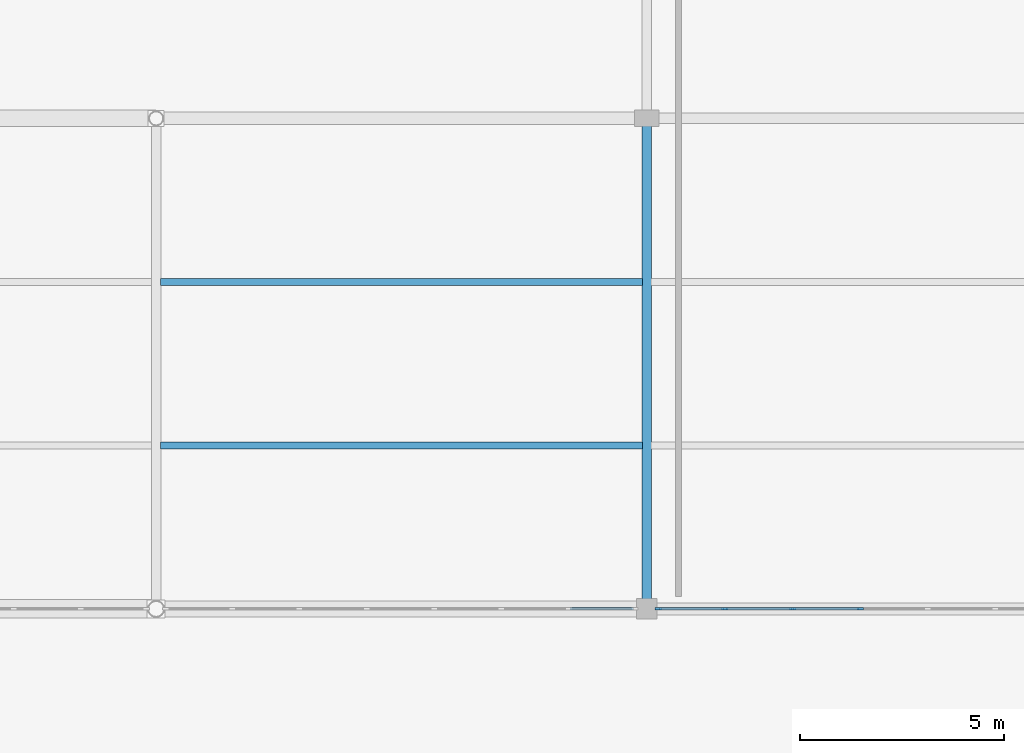
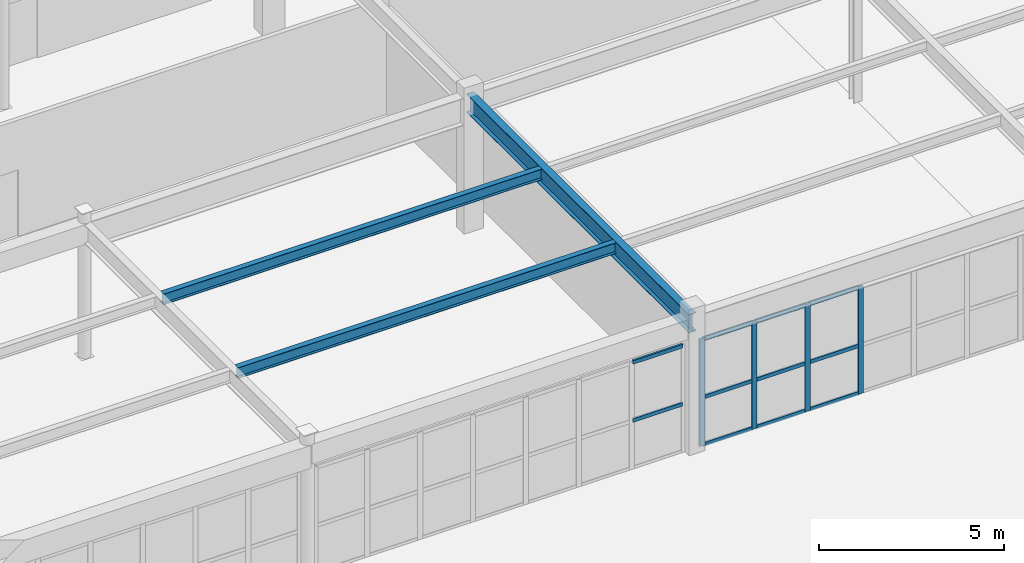
# One storey, part 84 of 199: 15 members, 3 beams, 2 elements without a shape of their own.
"""IFC4 building model written with IfcOpenShell, lengths in metres."""

import ifcopenshell
import ifcopenshell.guid

model = None  # the IFC model being written
_history = None  # IfcOwnerHistory: only IFC2X3 demands one
_inside = {}  # id of a spatial element -> (the spatial element, [elements in it])
_under = {}  # id of a project, library or spatial element -> (it, [spatial elements below it])
_declared = {}  # id of a project -> (the project, [libraries it declares])
_typed = {}  # id of a type object -> (the type object, [elements of that type])
_made_of = {}  # id of a material, layer set ... -> (it, [elements and type objects made of it])


def new_model(schema):
    """Start an empty IFC model of exactly this schema.

    Asked for "IFC4X3", IfcOpenShell would pick the latest addendum, in which some entities
    have other attributes; the version numbers below select the first issue.
    IFC2X3 requires an IfcOwnerHistory on every rooted entity: one is made here for all.
    """
    global model, _history
    if schema == "IFC4X3":
        model = ifcopenshell.file(schema_version=(4, 3, 0, 0))
    else:
        model = ifcopenshell.file(schema=schema)
    _inside.clear()
    _under.clear()
    _declared.clear()
    _typed.clear()
    _made_of.clear()
    _history = None
    if model.schema == "IFC2X3":
        org = make("IfcOrganization", Name="unknown")
        user = make(
            "IfcPersonAndOrganization",
            ThePerson=make("IfcPerson", FamilyName="unknown"),
            TheOrganization=org,
        )
        app = make(
            "IfcApplication",
            ApplicationDeveloper=org,
            Version="unknown",
            ApplicationFullName="unknown",
            ApplicationIdentifier="unknown",
        )
        _history = make(
            "IfcOwnerHistory",
            OwningUser=user,
            OwningApplication=app,
            ChangeAction="ADDED",
            CreationDate=0,
        )
    return model


def make(cls, **values):
    """One entity of the class cls with the attributes given. An attribute that is None is left unset."""
    return model.create_entity(
        cls, **{name: value for name, value in values.items() if value is not None}
    )


def rooted(cls, **values):
    """An entity with a GlobalId (a new one), such as an element, a storey or a relation."""
    return make(cls, GlobalId=ifcopenshell.guid.new(), OwnerHistory=_history, **values)


def si_unit(unit_type, name, prefix=None):
    """IfcSIUnit, for example si_unit("LENGTHUNIT", "METRE", prefix="MILLI")."""
    return make("IfcSIUnit", UnitType=unit_type, Prefix=prefix, Name=name)


def assignment(units):
    """IfcUnitAssignment: the units of a project."""
    return None if units is None else make("IfcUnitAssignment", Units=units)


def point(xyz):
    """IfcCartesianPoint."""
    return None if xyz is None else make("IfcCartesianPoint", Coordinates=xyz)


def direction(xyz):
    """IfcDirection."""
    return None if xyz is None else make("IfcDirection", DirectionRatios=xyz)


def frame(location, z_axis=None, x_axis=None):
    """IfcAxis2Placement3D, a coordinate frame: its origin and axes. An axis left out is left unset."""
    return make(
        "IfcAxis2Placement3D",
        Location=point(location),
        Axis=direction(z_axis),
        RefDirection=direction(x_axis),
    )


def frame_2d(location, x_axis=None):
    """IfcAxis2Placement2D, a coordinate frame in the plane: its origin and x axis."""
    return make(
        "IfcAxis2Placement2D", Location=point(location), RefDirection=direction(x_axis)
    )


def origin():
    """The frame at (0, 0, 0) with its axes left unset."""
    return frame((0.0, 0.0, 0.0))


def origin_2d():
    """The frame at (0, 0) in the plane with its x axis left unset."""
    return frame_2d((0.0, 0.0))


def place(relative_to, where):
    """IfcLocalPlacement: puts the frame where relative to a parent placement (None: the world)."""
    return make(
        "IfcLocalPlacement", PlacementRelTo=relative_to, RelativePlacement=where
    )


def context(
    kind, dimensions, precision=None, world=None, true_north=None, identifier=None
):
    """IfcGeometricRepresentationContext, for example the 3D "Model" context."""
    return make(
        "IfcGeometricRepresentationContext",
        ContextIdentifier=identifier,
        ContextType=kind,
        CoordinateSpaceDimension=dimensions,
        Precision=precision,
        WorldCoordinateSystem=world,
        TrueNorth=true_north,
    )


def subcontext(parent, identifier, kind, view, scale=None):
    """IfcGeometricRepresentationSubContext, for example "Body" below "Model"."""
    return make(
        "IfcGeometricRepresentationSubContext",
        ContextIdentifier=identifier,
        ContextType=kind,
        ParentContext=parent,
        TargetScale=scale,
        TargetView=view,
    )


def project(units=None, contexts=None):
    """IfcProject with its units and contexts."""
    return rooted(
        "IfcProject",
        Name="project",
        RepresentationContexts=contexts,
        UnitsInContext=assignment(units),
    )


def spatial(cls, under=None, at=None, **own):
    """A site, building, storey or space (cls), placed at a placement, below another one or the project."""
    s = rooted(cls, ObjectPlacement=at, **own)
    if under is not None:
        _under.setdefault(under.id(), (under, []))[1].append(s)
    return s


def profile(cls, at=None, kind="AREA", **sizes):
    """A parametric profile (cls). Its sizes go by their IFC names, for example OverallWidth=200.0."""
    return make(cls, ProfileType=kind, Position=at, **sizes)


def rectangle(**sizes):
    """IfcRectangleProfileDef."""
    return profile("IfcRectangleProfileDef", **sizes)


def i_section(**sizes):
    """IfcIShapeProfileDef."""
    return profile("IfcIShapeProfileDef", **sizes)


def extrude(swept, where, along, depth):
    """IfcExtrudedAreaSolid: the profile swept, set in the frame where, extruded along a direction by depth."""
    return make(
        "IfcExtrudedAreaSolid",
        SweptArea=swept,
        Position=where,
        ExtrudedDirection=direction(along),
        Depth=depth,
    )


def shape(context_of_items, identifier, shape_type, items):
    """IfcShapeRepresentation: the items that make up one representation, for example the "Body"."""
    return make(
        "IfcShapeRepresentation",
        ContextOfItems=context_of_items,
        RepresentationIdentifier=identifier,
        RepresentationType=shape_type,
        Items=items,
    )


def material(Name=None, Category=None):
    """IfcMaterial."""
    return make("IfcMaterial", Name=Name, Category=Category)


def layer(
    of_material, thickness, ventilated=None, Name=None, Category=None, Priority=None
):
    """IfcMaterialLayer: one layer of a wall or slab, of a material (None: an air gap)."""
    return make(
        "IfcMaterialLayer",
        Material=of_material,
        LayerThickness=thickness,
        IsVentilated=ventilated,
        Name=Name,
        Category=Category,
        Priority=Priority,
    )


def layer_set(layers, Name=None):
    """IfcMaterialLayerSet."""
    return make("IfcMaterialLayerSet", MaterialLayers=layers, LayerSetName=Name)


def material_profile(
    of_material, cross_section, Name=None, Category=None, Priority=None
):
    """IfcMaterialProfile: a cross section and its material."""
    return make(
        "IfcMaterialProfile",
        Name=Name,
        Material=of_material,
        Profile=cross_section,
        Priority=Priority,
        Category=Category,
    )


def profile_set(profiles, Name=None, composite=None):
    """IfcMaterialProfileSet."""
    return make(
        "IfcMaterialProfileSet",
        Name=Name,
        MaterialProfiles=profiles,
        CompositeProfile=composite,
    )


def made_of(thing, what):
    """Note that an element or type object is made of a material, layer set ...; save() writes the relation."""
    if what is not None:
        _made_of.setdefault(what.id(), (what, []))[1].append(thing)
    return thing


def type_object(cls, material=None, **own):
    """A type object (cls), such as IfcWallType, which elements share."""
    return made_of(rooted(cls, **own), material)


def element(
    cls,
    number,
    at=None,
    inside=None,
    cuts=None,
    type_object=None,
    material=None,
    context=None,
    identifier="Body",
    shape_type=None,
    held_by="IfcProductDefinitionShape",
    body=None,
    shapes=None,
    **own,
):
    """One element of the class cls, such as IfcWall. Its Tag is "e" and its number.

    at: its placement. inside: the storey or other place that contains it. cuts: it is an
    opening in that element (IfcRelVoidsElement). A single representation is given by context,
    identifier, shape_type and body (its items); several are given by shapes. held_by: the class
    of the entity that holds the representations. save() writes the other relations.
    """
    e = rooted(cls, Tag="e%d" % number, ObjectPlacement=at, **own)
    if body is not None:
        shapes = [shape(context, identifier, shape_type, body)]
    if shapes is not None:
        e.Representation = make(held_by, Representations=shapes)
    if inside is not None:
        _inside.setdefault(inside.id(), (inside, []))[1].append(e)
    if cuts is not None:
        rooted(
            "IfcRelVoidsElement", RelatingBuildingElement=cuts, RelatedOpeningElement=e
        )
    if type_object is not None:
        _typed.setdefault(type_object.id(), (type_object, []))[1].append(e)
    return made_of(e, material)


def aggregate(whole, parts):
    """IfcRelAggregates: a whole, such as a stair, and the parts it consists of."""
    return rooted("IfcRelAggregates", RelatingObject=whole, RelatedObjects=parts)


def save(model, path):
    """Write the relations noted so far, then the file.

    IfcRelAggregates (storeys below a building ...), IfcRelContainedInSpatialStructure (elements
    in a storey), IfcRelDefinesByType, IfcRelAssociatesMaterial and IfcRelDeclares: one each for
    every whole, place, type object, material and project.
    """
    for whole, parts in _under.values():
        aggregate(whole, parts)
    for where, things in _inside.values():
        rooted(
            "IfcRelContainedInSpatialStructure",
            RelatedElements=things,
            RelatingStructure=where,
        )
    for kind, things in _typed.values():
        rooted("IfcRelDefinesByType", RelatedObjects=things, RelatingType=kind)
    for what, things in _made_of.values():
        rooted("IfcRelAssociatesMaterial", RelatedObjects=things, RelatingMaterial=what)
    for by, libraries in _declared.values():
        rooted("IfcRelDeclares", RelatingContext=by, RelatedDefinitions=libraries)
    model.write(path)


model = new_model("IFC4")

# Units and contexts
model_context = context("Model", 3, precision=1e-05, world=origin(), true_north=direction((0.0, 1.0)))
body_context = subcontext(model_context, "Body", "Model", "MODEL_VIEW")
ifc_project = project(units=[si_unit("LENGTHUNIT", "METRE"), si_unit("AREAUNIT", "SQUARE_METRE"), si_unit("VOLUMEUNIT", "CUBIC_METRE"), si_unit("PLANEANGLEUNIT", "RADIAN"), si_unit("MASSUNIT", "GRAM", prefix="KILO")], contexts=[model_context])

# Site, building, storey
site_placement = place(None, origin())
site = spatial("IfcSite", under=ifc_project, at=site_placement, CompositionType="ELEMENT")
building_placement = place(site_placement, origin())
building = spatial("IfcBuilding", under=site, at=building_placement, Name="Tarnwether General Hospital", CompositionType="ELEMENT")
storey_placement = place(building_placement, origin())
storey = spatial("IfcBuildingStorey", under=building, at=storey_placement, Name="L00", CompositionType="ELEMENT", Elevation=0.0)

# Beams
ifc_material_1 = material(Name="Steel Grade 350 (350 MPa)", Category="steel")
ifc_material_profile_1 = material_profile(ifc_material_1, i_section(OverallWidth=0.22802734375, OverallDepth=0.60693359375, WebThickness=0.01123046875, FlangeThickness=0.017333984375, at=origin_2d()), Name="610UB113")
ifc_profile_set_1 = profile_set([ifc_material_profile_1], Name="Steel Grade 350 (350 MPa)")
beam_type_1 = type_object("IfcBeamType", Name="BM-G04", PredefinedType="BEAM", material=ifc_profile_set_1)
beam_1_placement = place(storey_placement, frame((84.0, 81.60009765625, 4.1416015625), z_axis=(0.0, 1.0, 0.0), x_axis=(-1.0, 0.0, 0.0)))
element("IfcBeam", 1, at=beam_1_placement, inside=storey, type_object=beam_type_1, Name="Primary Girder BMG-L00-8400_8160-8400_9360-0726", PredefinedType="BEAM", context=body_context, shape_type="SweptSolid", body=[
    extrude(i_section(OverallWidth=0.22802734375, OverallDepth=0.60693359375, WebThickness=0.01123046875, FlangeThickness=0.017333984375, at=origin_2d()), origin(), (0.0, 0.0, 1.0), 12.0),
])
ifc_material_2 = material(Name="Steel Grade 350 (350 MPa)", Category="steel")
ifc_material_profile_2 = material_profile(ifc_material_2, i_section(OverallWidth=0.172119140625, OverallDepth=0.35888671875, WebThickness=0.008056640625, FlangeThickness=0.012939453125, at=origin_2d()), Name="360UB56.7")
ifc_profile_set_2 = profile_set([ifc_material_profile_2], Name="Steel Grade 350 (350 MPa)")
beam_type_2 = type_object("IfcBeamType", Name="BM-J03", PredefinedType="JOIST", material=ifc_profile_set_2)
beam_2_placement = place(storey_placement, frame((72.10888671875, 85.60009765625, 4.265380859375), z_axis=(1.0, 0.0, 0.0), x_axis=(0.0, 1.0, 0.0)))
element("IfcBeam", 2, at=beam_2_placement, inside=storey, type_object=beam_type_2, Name="Composite Floor Joist BMG-L00-7211_8560-8389_8560-0971", PredefinedType="JOIST", context=body_context, shape_type="SweptSolid", body=[
    extrude(i_section(OverallWidth=0.172119140625, OverallDepth=0.35888671875, WebThickness=0.008056640625, FlangeThickness=0.012939453125, at=origin_2d()), origin(), (0.0, 0.0, 1.0), 11.783203125),
])
ifc_material_3 = material(Name="Steel Grade 350 (350 MPa)", Category="steel")
ifc_material_profile_3 = material_profile(ifc_material_3, i_section(OverallWidth=0.1708984375, OverallDepth=0.35595703125, WebThickness=0.00732421875, FlangeThickness=0.011474609375, at=origin_2d()), Name="360UB50.7")
ifc_profile_set_3 = profile_set([ifc_material_profile_3], Name="Steel Grade 350 (350 MPa)")
beam_type_3 = type_object("IfcBeamType", Name="BM-J04", PredefinedType="JOIST", material=ifc_profile_set_3)
beam_3_placement = place(storey_placement, frame((72.10888671875, 89.60009765625, 4.26708984375), z_axis=(1.0, 0.0, 0.0), x_axis=(0.0, 1.0, 0.0)))
element("IfcBeam", 3, at=beam_3_placement, inside=storey, type_object=beam_type_3, Name="Composite Floor Joist BMG-L00-7211_8960-8389_8960-0972", PredefinedType="JOIST", context=body_context, shape_type="SweptSolid", body=[
    extrude(i_section(OverallWidth=0.1708984375, OverallDepth=0.35595703125, WebThickness=0.00732421875, FlangeThickness=0.011474609375, at=origin_2d()), origin(), (0.0, 0.0, 1.0), 11.783203125),
])

# Curtain wall, members
ifc_material_4 = material(Name="Anodised aluminium", Category="aluminium")
ifc_layer = layer(ifc_material_4, 0.159912109375)
ifc_layer_set = layer_set([ifc_layer], Name="Anodised aluminium")
curtain_wall_type = type_object("IfcCurtainWallType", Name="CW-23", PredefinedType="NOTDEFINED", material=ifc_layer_set)
curtain_wall_1_placement = place(storey_placement, origin())
curtain_wall_1 = element("IfcCurtainWall", 4, at=curtain_wall_1_placement, inside=storey, type_object=curtain_wall_type, Name="Curtain Wall CWG-L00-843_816-0307", PredefinedType="NOTDEFINED")
ifc_material_5 = material(Name="Anodised aluminium", Category="aluminium")
ifc_material_profile_4 = material_profile(ifc_material_5, rectangle(XDim=0.06005859375, YDim=0.159912109375, at=origin_2d()), Name="ALU-MUL-60x160")
ifc_profile_set_4 = profile_set([ifc_material_profile_4], Name="Anodised aluminium")
member_type_1 = type_object("IfcMemberType", Name="CW-ML1", PredefinedType="MULLION", material=ifc_profile_set_4)
member_1_placement = place(storey_placement, frame((84.2880859375, 81.60009765625, 0.0), z_axis=(0.0, 0.0, 1.0), x_axis=(0.0, 1.0, 0.0)))
member_1 = element("IfcMember", 5, at=member_1_placement, type_object=member_type_1, Name="CW-23 mullion 1", PredefinedType="MULLION", context=body_context, shape_type="SweptSolid", body=[
    extrude(rectangle(XDim=0.06005859375, YDim=0.159912109375, at=origin_2d()), origin(), (0.0, 0.0, 1.0), 3.530029296875),
])
member_2_placement = place(storey_placement, frame((85.91259765625, 81.60009765625, 0.0), z_axis=(0.0, 0.0, 1.0), x_axis=(0.0, 1.0, 0.0)))
member_2 = element("IfcMember", 6, at=member_2_placement, type_object=member_type_1, Name="CW-23 mullion 2", PredefinedType="MULLION", context=body_context, shape_type="SweptSolid", body=[
    extrude(rectangle(XDim=0.06005859375, YDim=0.159912109375, at=origin_2d()), origin(), (0.0, 0.0, 1.0), 3.530029296875),
])
member_3_placement = place(storey_placement, frame((87.567138671875, 81.60009765625, 0.0), z_axis=(0.0, 0.0, 1.0), x_axis=(0.0, 1.0, 0.0)))
member_3 = element("IfcMember", 7, at=member_3_placement, type_object=member_type_1, Name="CW-23 mullion 3", PredefinedType="MULLION", context=body_context, shape_type="SweptSolid", body=[
    extrude(rectangle(XDim=0.06005859375, YDim=0.159912109375, at=origin_2d()), origin(), (0.0, 0.0, 1.0), 3.530029296875),
])
member_4_placement = place(storey_placement, frame((89.2216796875, 81.60009765625, 0.0), z_axis=(0.0, 0.0, 1.0), x_axis=(0.0, 1.0, 0.0)))
member_4 = element("IfcMember", 8, at=member_4_placement, type_object=member_type_1, Name="CW-23 mullion 4", PredefinedType="MULLION", context=body_context, shape_type="SweptSolid", body=[
    extrude(rectangle(XDim=0.06005859375, YDim=0.159912109375, at=origin_2d()), origin(), (0.0, 0.0, 1.0), 3.530029296875),
])

curtain_wall_2_placement = place(storey_placement, origin())
curtain_wall_2 = element("IfcCurtainWall", 9, at=curtain_wall_2_placement, inside=storey, type_object=curtain_wall_type, Name="Curtain Wall CWG-L00-722_816-0306", PredefinedType="NOTDEFINED")
ifc_material_6 = material(Name="Anodised aluminium", Category="aluminium")
ifc_material_profile_5 = material_profile(ifc_material_6, rectangle(XDim=0.06005859375, YDim=0.1201171875, at=origin_2d()), Name="ALU-TRN-60x120")
ifc_profile_set_5 = profile_set([ifc_material_profile_5], Name="Anodised aluminium")
member_type_2 = type_object("IfcMemberType", Name="CW-TR1", PredefinedType="USERDEFINED", material=ifc_profile_set_5)
member_5_placement = place(storey_placement, frame((82.124755859375, 81.60009765625, 1.58837890625), z_axis=(1.0, 0.0, 0.0), x_axis=(0.0, 1.0, 0.0)))
member_5 = element("IfcMember", 10, at=member_5_placement, type_object=member_type_2, Name="CW-23 transom 7.2", ObjectType="TRANSOM", PredefinedType="USERDEFINED", context=body_context, shape_type="SweptSolid", body=[
    extrude(rectangle(XDim=0.06005859375, YDim=0.1201171875, at=origin_2d()), origin(), (0.0, 0.0, 1.0), 1.55712890625),
])
member_6_placement = place(storey_placement, frame((82.124755859375, 81.60009765625, 3.5), z_axis=(1.0, 0.0, 0.0), x_axis=(0.0, 1.0, 0.0)))
member_6 = element("IfcMember", 11, at=member_6_placement, type_object=member_type_2, Name="CW-23 transom 7.3", ObjectType="TRANSOM", PredefinedType="USERDEFINED", context=body_context, shape_type="SweptSolid", body=[
    extrude(rectangle(XDim=0.06005859375, YDim=0.1201171875, at=origin_2d()), origin(), (0.0, 0.0, 1.0), 1.55712890625),
])
aggregate(curtain_wall_2, [member_5, member_6])

# Member
member_7_placement = place(storey_placement, frame((84.318115234375, 81.60009765625, 0.030029296875), z_axis=(1.0, 0.0, 0.0), x_axis=(0.0, 1.0, 0.0)))
member_7 = element("IfcMember", 12, at=member_7_placement, type_object=member_type_2, Name="CW-23 transom 1.1", ObjectType="TRANSOM", PredefinedType="USERDEFINED", context=body_context, shape_type="SweptSolid", body=[
    extrude(rectangle(XDim=0.06005859375, YDim=0.1201171875, at=origin_2d()), origin(), (0.0, 0.0, 1.0), 1.564453125),
])

member_8_placement = place(storey_placement, frame((84.318115234375, 81.60009765625, 1.58837890625), z_axis=(1.0, 0.0, 0.0), x_axis=(0.0, 1.0, 0.0)))
member_8 = element("IfcMember", 13, at=member_8_placement, type_object=member_type_2, Name="CW-23 transom 1.2", ObjectType="TRANSOM", PredefinedType="USERDEFINED", context=body_context, shape_type="SweptSolid", body=[
    extrude(rectangle(XDim=0.06005859375, YDim=0.1201171875, at=origin_2d()), origin(), (0.0, 0.0, 1.0), 1.564453125),
])

member_9_placement = place(storey_placement, frame((84.318115234375, 81.60009765625, 3.5), z_axis=(1.0, 0.0, 0.0), x_axis=(0.0, 1.0, 0.0)))
member_9 = element("IfcMember", 14, at=member_9_placement, type_object=member_type_2, Name="CW-23 transom 1.3", ObjectType="TRANSOM", PredefinedType="USERDEFINED", context=body_context, shape_type="SweptSolid", body=[
    extrude(rectangle(XDim=0.06005859375, YDim=0.1201171875, at=origin_2d()), origin(), (0.0, 0.0, 1.0), 1.564453125),
])

member_10_placement = place(storey_placement, frame((85.942626953125, 81.60009765625, 0.030029296875), z_axis=(1.0, 0.0, 0.0), x_axis=(0.0, 1.0, 0.0)))
member_10 = element("IfcMember", 15, at=member_10_placement, type_object=member_type_2, Name="CW-23 transom 2.1", ObjectType="TRANSOM", PredefinedType="USERDEFINED", context=body_context, shape_type="SweptSolid", body=[
    extrude(rectangle(XDim=0.06005859375, YDim=0.1201171875, at=origin_2d()), origin(), (0.0, 0.0, 1.0), 1.594482421875),
])

member_11_placement = place(storey_placement, frame((85.942626953125, 81.60009765625, 1.58837890625), z_axis=(1.0, 0.0, 0.0), x_axis=(0.0, 1.0, 0.0)))
member_11 = element("IfcMember", 16, at=member_11_placement, type_object=member_type_2, Name="CW-23 transom 2.2", ObjectType="TRANSOM", PredefinedType="USERDEFINED", context=body_context, shape_type="SweptSolid", body=[
    extrude(rectangle(XDim=0.06005859375, YDim=0.1201171875, at=origin_2d()), origin(), (0.0, 0.0, 1.0), 1.594482421875),
])

member_12_placement = place(storey_placement, frame((85.942626953125, 81.60009765625, 3.5), z_axis=(1.0, 0.0, 0.0), x_axis=(0.0, 1.0, 0.0)))
member_12 = element("IfcMember", 17, at=member_12_placement, type_object=member_type_2, Name="CW-23 transom 2.3", ObjectType="TRANSOM", PredefinedType="USERDEFINED", context=body_context, shape_type="SweptSolid", body=[
    extrude(rectangle(XDim=0.06005859375, YDim=0.1201171875, at=origin_2d()), origin(), (0.0, 0.0, 1.0), 1.594482421875),
])

member_13_placement = place(storey_placement, frame((87.59716796875, 81.60009765625, 0.030029296875), z_axis=(1.0, 0.0, 0.0), x_axis=(0.0, 1.0, 0.0)))
member_13 = element("IfcMember", 18, at=member_13_placement, type_object=member_type_2, Name="CW-23 transom 3.1", ObjectType="TRANSOM", PredefinedType="USERDEFINED", context=body_context, shape_type="SweptSolid", body=[
    extrude(rectangle(XDim=0.06005859375, YDim=0.1201171875, at=origin_2d()), origin(), (0.0, 0.0, 1.0), 1.594482421875),
])

member_14_placement = place(storey_placement, frame((87.59716796875, 81.60009765625, 1.58837890625), z_axis=(1.0, 0.0, 0.0), x_axis=(0.0, 1.0, 0.0)))
member_14 = element("IfcMember", 19, at=member_14_placement, type_object=member_type_2, Name="CW-23 transom 3.2", ObjectType="TRANSOM", PredefinedType="USERDEFINED", context=body_context, shape_type="SweptSolid", body=[
    extrude(rectangle(XDim=0.06005859375, YDim=0.1201171875, at=origin_2d()), origin(), (0.0, 0.0, 1.0), 1.594482421875),
])

member_15_placement = place(storey_placement, frame((87.59716796875, 81.60009765625, 3.5), z_axis=(1.0, 0.0, 0.0), x_axis=(0.0, 1.0, 0.0)))
member_15 = element("IfcMember", 20, at=member_15_placement, type_object=member_type_2, Name="CW-23 transom 3.3", ObjectType="TRANSOM", PredefinedType="USERDEFINED", context=body_context, shape_type="SweptSolid", body=[
    extrude(rectangle(XDim=0.06005859375, YDim=0.1201171875, at=origin_2d()), origin(), (0.0, 0.0, 1.0), 1.594482421875),
])

aggregate(curtain_wall_1, [member_1, member_2, member_3, member_4, member_7, member_8, member_9, member_10, member_11, member_12, member_13, member_14, member_15])

save(model, "model.ifc")
